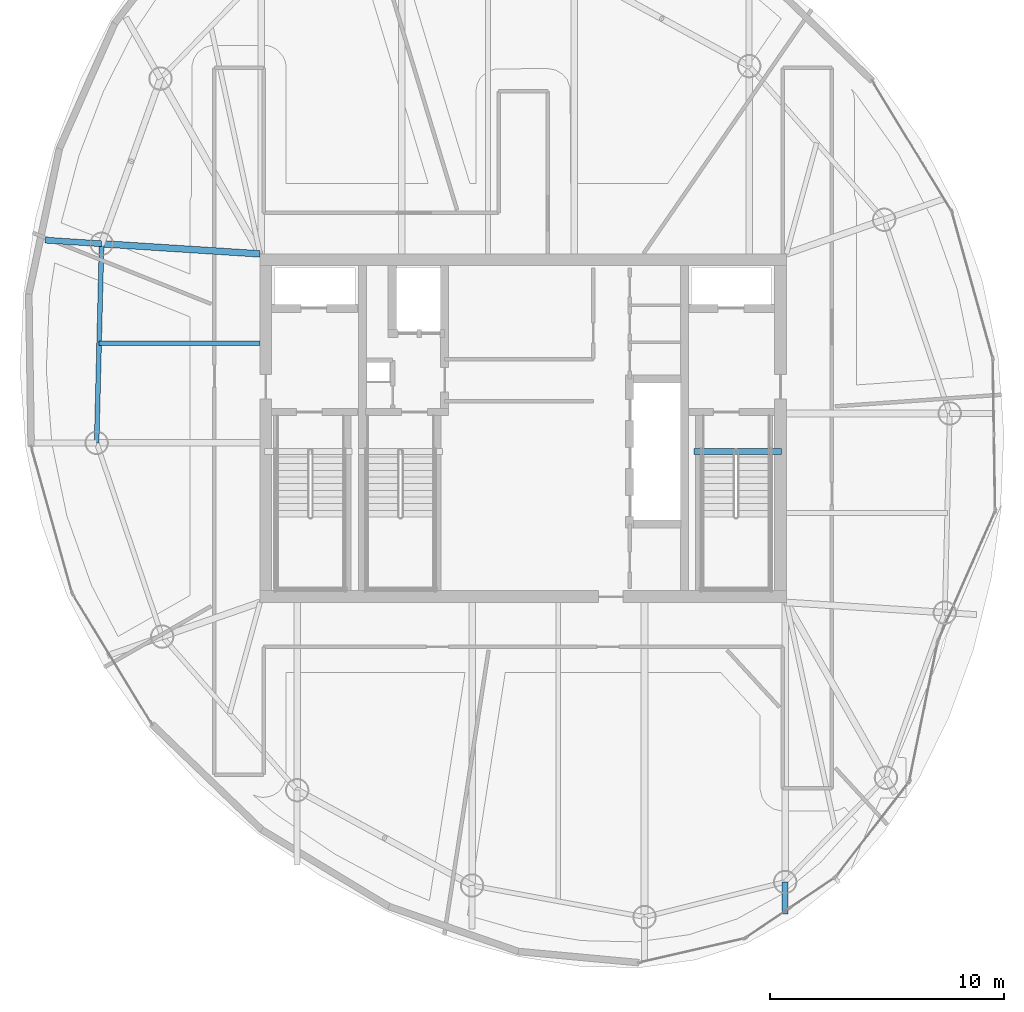
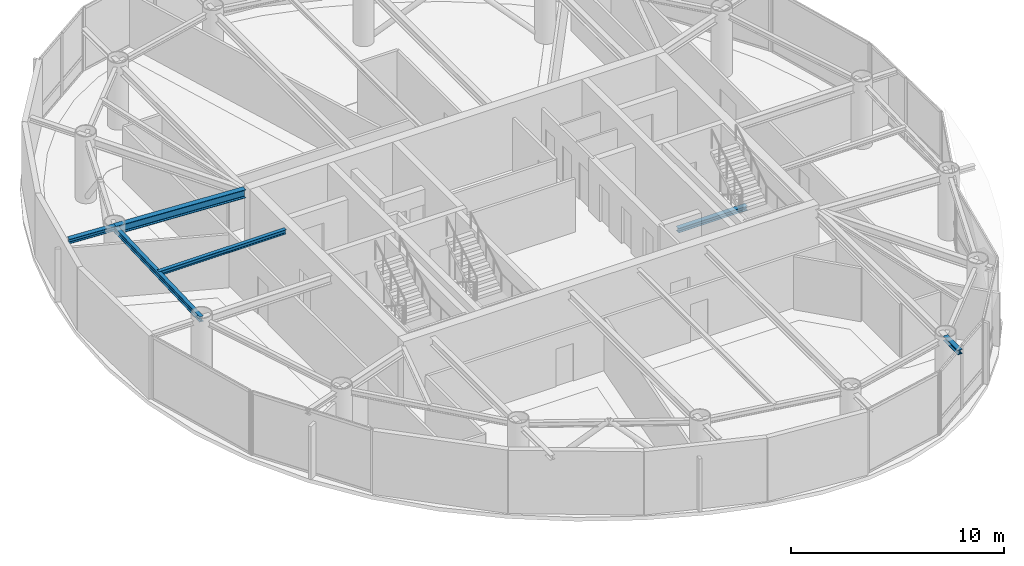
# One storey, part 6 of 19: 6 beams.
"""IFC4 building model written with IfcOpenShell, lengths in metres."""

from ifc_helpers import new_model, si_unit, direction, frame, origin, origin_2d, place, context, subcontext, project, spatial, i_section, extrude, material, material_profile, profile_set, type_object, element, save


model = new_model("IFC4")

# Units and contexts
model_context = context("Model", 3, precision=1e-05, world=origin(), true_north=direction((0.0, 1.0)))
body_context = subcontext(model_context, "Body", "Model", "MODEL_VIEW")
ifc_project = project(units=[si_unit("LENGTHUNIT", "METRE"), si_unit("AREAUNIT", "SQUARE_METRE"), si_unit("VOLUMEUNIT", "CUBIC_METRE"), si_unit("PLANEANGLEUNIT", "RADIAN"), si_unit("MASSUNIT", "GRAM", prefix="KILO")], contexts=[model_context])

# Site, building, storey
site_placement = place(None, origin())
site = spatial("IfcSite", under=ifc_project, at=site_placement, CompositionType="ELEMENT")
building_placement = place(site_placement, origin())
building = spatial("IfcBuilding", under=site, at=building_placement, Name="Bramvorn Convention Spire", CompositionType="ELEMENT")
storey_placement = place(building_placement, frame((0.0, 0.0, 299.800048828125)))
storey = spatial("IfcBuildingStorey", under=building, at=storey_placement, Name="L76", CompositionType="ELEMENT", Elevation=299.800048828125)

# Beams
ifc_material = material(Name="Steel CSA G40.21 Grade 350 (350W)", Category="steel")
ifc_material_profile_1 = material_profile(ifc_material, i_section(OverallWidth=0.201904296875, OverallDepth=0.2470703125, WebThickness=0.00732421875, FlangeThickness=0.010986328125, FilletRadius=0.011962890625, at=origin_2d()))
ifc_profile_set_1 = profile_set([ifc_material_profile_1], Name="Steel CSA G40.21 Grade 350 (350W) - W250X49")
beam_type_1 = type_object("IfcBeamType", Name="BM-W250X49", PredefinedType="JOIST", material=ifc_profile_set_1)
beam_1_placement = place(storey_placement, frame((26.75, 29.626953125, 3.50146484375), z_axis=(-1.0, 0.0, 0.0), x_axis=(0.0, -1.0, 0.0)))
element("IfcBeam", 1, at=beam_1_placement, inside=storey, type_object=beam_type_1, Name="L76 composite floor joist 11", PredefinedType="JOIST", context=body_context, shape_type="SweptSolid", body=[
    extrude(i_section(OverallWidth=0.201904296875, OverallDepth=0.2470703125, WebThickness=0.00732421875, FlangeThickness=0.010986328125, FilletRadius=0.011962890625, at=origin_2d()), origin(), (0.0, 0.0, 1.0), 6.879150390625),
])
ifc_material_profile_2 = material_profile(ifc_material, i_section(OverallWidth=0.25390625, OverallDepth=0.2529296875, WebThickness=0.008544921875, FlangeThickness=0.01416015625, FilletRadius=0.011962890625, at=origin_2d()))
ifc_profile_set_2 = profile_set([ifc_material_profile_2], Name="Steel CSA G40.21 Grade 350 (350W) - W250X73")
beam_type_2 = type_object("IfcBeamType", Name="BM-W250X73", PredefinedType="BEAM", material=ifc_profile_set_2)
beam_2_placement = place(storey_placement, frame((49.199951171875, 6.60107421875, 3.49853515625), z_axis=(0.0, -1.0, 0.0), x_axis=(1.0, 0.0, 0.0)))
element("IfcBeam", 2, at=beam_2_placement, inside=storey, type_object=beam_type_2, Name="L76 slab-edge cantilever tip beam MC01", PredefinedType="BEAM", context=body_context, shape_type="SweptSolid", body=[
    extrude(i_section(OverallWidth=0.25390625, OverallDepth=0.2529296875, WebThickness=0.008544921875, FlangeThickness=0.01416015625, FilletRadius=0.011962890625, at=origin_2d()), origin(), (0.0, 0.0, 1.0), 1.3759765625),
])
beam_3_placement = place(storey_placement, frame((19.976318359375, 33.883544921875, 3.49853515625), z_axis=(-0.997958682245, 0.063862888536, 0.0), x_axis=(-0.063862888536, -0.997958682245, 0.0)))
element("IfcBeam", 3, at=beam_3_placement, inside=storey, type_object=beam_type_2, Name="L76 slab-edge cantilever tip beam MC11", PredefinedType="BEAM", context=body_context, shape_type="SweptSolid", body=[
    extrude(i_section(OverallWidth=0.25390625, OverallDepth=0.2529296875, WebThickness=0.008544921875, FlangeThickness=0.01416015625, FilletRadius=0.011962890625, at=origin_2d()), origin(), (0.0, 0.0, 1.0), 2.416015625),
])
beam_4_placement = place(storey_placement, frame((45.31005859375, 25.010009765625, -0.12646484375), z_axis=(1.0, 0.0, 0.0), x_axis=(0.0, 1.0, 0.0)))
element("IfcBeam", 4, at=beam_4_placement, inside=storey, type_object=beam_type_2, Name="L76 ST2 stair arrival header beam", PredefinedType="BEAM", context=body_context, shape_type="SweptSolid", body=[
    extrude(i_section(OverallWidth=0.25390625, OverallDepth=0.2529296875, WebThickness=0.008544921875, FlangeThickness=0.01416015625, FilletRadius=0.011962890625, at=origin_2d()), origin(), (0.0, 0.0, 1.0), 3.739990234375),
])
ifc_material_profile_3 = material_profile(ifc_material, i_section(OverallWidth=0.202880859375, OverallDepth=0.302978515625, WebThickness=0.007568359375, FlangeThickness=0.01318359375, FilletRadius=0.013916015625, at=origin_2d()))
ifc_profile_set_3 = profile_set([ifc_material_profile_3], Name="Steel CSA G40.21 Grade 350 (350W) - W310X60")
beam_type_3 = type_object("IfcBeamType", Name="BM-W310X60", PredefinedType="JOIST", material=ifc_profile_set_3)
beam_5_placement = place(storey_placement, frame((19.976318359375, 33.883544921875, 3.473388671875), z_axis=(-0.024770853371, -0.999693155335, 0.0), x_axis=(0.999693155335, -0.024770853371, 0.0)))
element("IfcBeam", 5, at=beam_5_placement, inside=storey, type_object=beam_type_3, Name="L76 mega-column ring beam 11", PredefinedType="JOIST", context=body_context, shape_type="SweptSolid", body=[
    extrude(i_section(OverallWidth=0.202880859375, OverallDepth=0.302978515625, WebThickness=0.007568359375, FlangeThickness=0.01318359375, FilletRadius=0.013916015625, at=origin_2d()), origin(), (0.0, 0.0, 1.0), 8.515625),
])
ifc_material_profile_4 = material_profile(ifc_material, i_section(OverallWidth=0.283935546875, OverallDepth=0.47607421875, WebThickness=0.014892578125, FlangeThickness=0.02392578125, FilletRadius=0.01806640625, at=origin_2d()))
ifc_profile_set_4 = profile_set([ifc_material_profile_4], Name="Steel CSA G40.21 Grade 350 (350W) - W460X158")
beam_type_4 = type_object("IfcBeamType", Name="BM-W460X158", PredefinedType="SPANDREL", material=ifc_profile_set_4)
beam_6_placement = place(storey_placement, frame((26.75, 33.449951171875, 3.386962890625), z_axis=(-0.997957536354, 0.063880792379, 0.0), x_axis=(-0.063880792379, -0.997957536354, 0.0)))
element("IfcBeam", 6, at=beam_6_placement, inside=storey, type_object=beam_type_4, Name="L76 radial floor girder MC11", PredefinedType="SPANDREL", context=body_context, shape_type="SweptSolid", body=[
    extrude(i_section(OverallWidth=0.283935546875, OverallDepth=0.47607421875, WebThickness=0.014892578125, FlangeThickness=0.02392578125, FilletRadius=0.01806640625, at=origin_2d()), origin(), (0.0, 0.0, 1.0), 6.78759765625),
])

save(model, "model.ifc")
